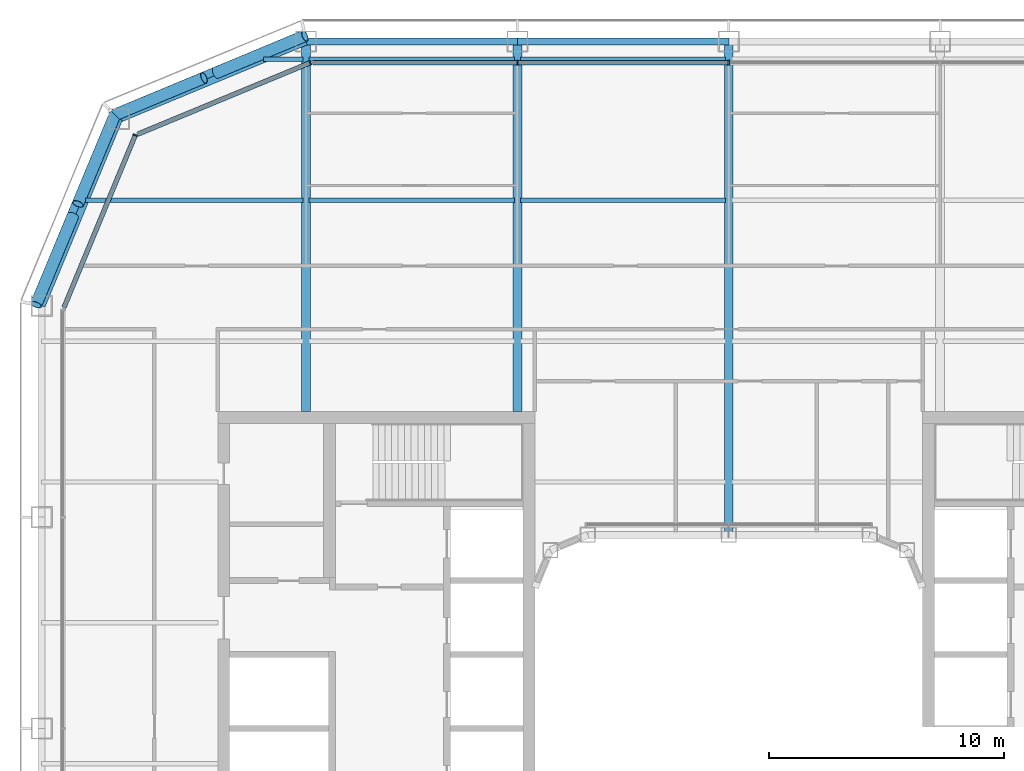
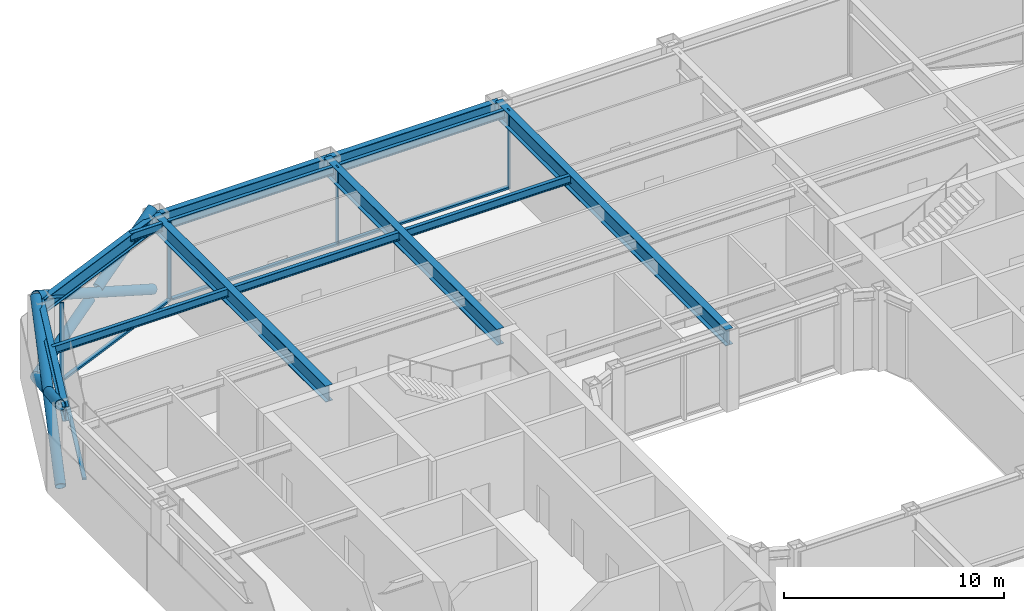
# One storey, part 7 of 23: 14 members, 13 beams, 3 elements without a shape of their own.
"""IFC4 building model written with IfcOpenShell, lengths in metres."""

from ifc_helpers import new_model, si_unit, direction, frame, origin, origin_2d, place, context, subcontext, project, spatial, rectangle, hollow_circle, i_section, extrude, material, layer, layer_set, material_profile, profile_set, type_object, element, aggregate, save


model = new_model("IFC4")

# Units and contexts
model_context = context("Model", 3, precision=1e-05, world=origin(), true_north=direction((0.0, 1.0)))
body_context = subcontext(model_context, "Body", "Model", "MODEL_VIEW")
ifc_project = project(units=[si_unit("LENGTHUNIT", "METRE"), si_unit("AREAUNIT", "SQUARE_METRE"), si_unit("VOLUMEUNIT", "CUBIC_METRE"), si_unit("PLANEANGLEUNIT", "RADIAN"), si_unit("MASSUNIT", "GRAM", prefix="KILO")], contexts=[model_context])

# Site, building, storey
site_placement = place(None, origin())
site = spatial("IfcSite", under=ifc_project, at=site_placement, CompositionType="ELEMENT")
building_placement = place(site_placement, origin())
building = spatial("IfcBuilding", under=site, at=building_placement, Name="Siwar Civic Tower", CompositionType="ELEMENT")
storey_placement = place(building_placement, frame((0.0, 0.0, 145.199951171875)))
storey = spatial("IfcBuildingStorey", under=building, at=storey_placement, Name="L31", CompositionType="ELEMENT", Elevation=145.199951171875)

# Curtain wall, members
ifc_material_1 = material(Name="Aluminium and glass", Category="aluminium")
ifc_layer_1 = layer(ifc_material_1, 0.199951171875)
ifc_layer_set_1 = layer_set([ifc_layer_1], Name="Aluminium and glass")
curtain_wall_type_1 = type_object("IfcCurtainWallType", Name="ENV-CW-B", PredefinedType="NOTDEFINED", material=ifc_layer_set_1)
curtain_wall_1_placement = place(storey_placement, origin())
curtain_wall_1 = element("IfcCurtainWall", 1, at=curtain_wall_1_placement, inside=storey, type_object=curtain_wall_type_1, Name="Curtain wall B N", PredefinedType="NOTDEFINED")
ifc_material_2 = material(Name="Aluminium 6063-T6", Category="aluminium")
ifc_material_profile_1 = material_profile(ifc_material_2, rectangle(XDim=0.199951171875, YDim=0.06494140625, at=origin_2d()), Name="AL 200x65")
ifc_profile_set_1 = profile_set([ifc_material_profile_1], Name="Aluminium 6063-T6")
member_type_1 = type_object("IfcMemberType", Name="ENV-MULLION-B", PredefinedType="MULLION", material=ifc_profile_set_1)
member_1_placement = place(storey_placement, frame((0.0, 28.35009765625, 0.0), z_axis=(0.0, 0.0, 1.0), x_axis=(0.0, -1.0, 0.0)))
member_1 = element("IfcMember", 2, at=member_1_placement, type_object=member_type_1, Name="Mullion B N 3", PredefinedType="MULLION", context=body_context, shape_type="SweptSolid", body=[
    extrude(rectangle(XDim=0.199951171875, YDim=0.06494140625, at=origin_2d()), origin(), (0.0, 0.0, 1.0), 4.35009765625),
])
member_2_placement = place(storey_placement, frame((-9.0, 28.35009765625, 0.0), z_axis=(0.0, 0.0, 1.0), x_axis=(0.0, -1.0, 0.0)))
member_2 = element("IfcMember", 3, at=member_2_placement, type_object=member_type_1, Name="Mullion B N 4", PredefinedType="MULLION", context=body_context, shape_type="SweptSolid", body=[
    extrude(rectangle(XDim=0.199951171875, YDim=0.06494140625, at=origin_2d()), origin(), (0.0, 0.0, 1.0), 4.35009765625),
])

# Curtain wall, member
ifc_material_3 = material(Name="Aluminium clad insulated panel", Category="aluminium")
ifc_layer_2 = layer(ifc_material_3, 0.199951171875)
ifc_layer_set_2 = layer_set([ifc_layer_2], Name="Aluminium clad insulated panel")
curtain_wall_type_2 = type_object("IfcCurtainWallType", Name="ENV-CW-BX", PredefinedType="NOTDEFINED", material=ifc_layer_set_2)
curtain_wall_2_placement = place(storey_placement, origin())
curtain_wall_2 = element("IfcCurtainWall", 4, at=curtain_wall_2_placement, inside=storey, type_object=curtain_wall_type_2, Name="Curtain wall B NW1", PredefinedType="NOTDEFINED")
member_3_placement = place(storey_placement, frame((-17.821044921875, 28.35009765625, 0.0), z_axis=(0.0, 0.0, 1.0), x_axis=(0.382683432365, -0.923879532511, 0.0)))
member_3 = element("IfcMember", 5, at=member_3_placement, type_object=member_type_1, Name="Mullion B NW1 1", PredefinedType="MULLION", context=body_context, shape_type="SweptSolid", body=[
    extrude(rectangle(XDim=0.199951171875, YDim=0.06494140625, at=origin_2d()), origin(), (0.0, 0.0, 1.0), 4.35009765625),
])

curtain_wall_3_placement = place(storey_placement, origin())
curtain_wall_3 = element("IfcCurtainWall", 6, at=curtain_wall_3_placement, inside=storey, type_object=curtain_wall_type_2, Name="Curtain wall B NW2", PredefinedType="NOTDEFINED")
member_4_placement = place(storey_placement, frame((-25.26611328125, 25.26611328125, 0.0), z_axis=(0.0, 0.0, 1.0), x_axis=(0.923879532511, -0.382683432365, 0.0)))
member_4 = element("IfcMember", 7, at=member_4_placement, type_object=member_type_1, Name="Mullion B NW2 1", PredefinedType="MULLION", context=body_context, shape_type="SweptSolid", body=[
    extrude(rectangle(XDim=0.199951171875, YDim=0.06494140625, at=origin_2d()), origin(), (0.0, 0.0, 1.0), 4.35009765625),
])

# Member
ifc_material_4 = material(Name="Aluminium 6063-T6", Category="aluminium")
ifc_material_profile_2 = material_profile(ifc_material_4, rectangle(XDim=0.199951171875, YDim=0.110107421875, at=origin_2d()), Name="AL 200x110")
ifc_profile_set_2 = profile_set([ifc_material_profile_2], Name="Aluminium 6063-T6")
member_type_2 = type_object("IfcMemberType", Name="ENV-TRANSOM-B", PredefinedType="USERDEFINED", material=ifc_profile_set_2)
member_5_placement = place(storey_placement, frame((-0.032470703125, 28.35009765625, 0.054931640625), z_axis=(-1.0, 0.0, 0.0), x_axis=(0.0, -1.0, 0.0)))
member_5 = element("IfcMember", 8, at=member_5_placement, type_object=member_type_2, Name="Transom B N 3", ObjectType="TRANSOM", PredefinedType="USERDEFINED", context=body_context, shape_type="SweptSolid", body=[
    extrude(rectangle(XDim=0.199951171875, YDim=0.110107421875, at=origin_2d()), origin(), (0.0, 0.0, 1.0), 8.93505859375),
])

member_6_placement = place(storey_placement, frame((-9.032470703125, 28.35009765625, 0.054931640625), z_axis=(-1.0, 0.0, 0.0), x_axis=(0.0, -1.0, 0.0)))
member_6 = element("IfcMember", 9, at=member_6_placement, type_object=member_type_2, Name="Transom B N 4", ObjectType="TRANSOM", PredefinedType="USERDEFINED", context=body_context, shape_type="SweptSolid", body=[
    extrude(rectangle(XDim=0.199951171875, YDim=0.110107421875, at=origin_2d()), origin(), (0.0, 0.0, 1.0), 8.6748046875),
])

aggregate(curtain_wall_1, [member_1, member_2, member_5, member_6])

member_7_placement = place(storey_placement, frame((-17.85107421875, 28.337646484375, 0.054931640625), z_axis=(-0.92387279587, -0.382699695651, 0.0), x_axis=(0.382699695651, -0.92387279587, 0.0)))
member_7 = element("IfcMember", 10, at=member_7_placement, type_object=member_type_2, Name="Transom B NW1 1", ObjectType="TRANSOM", PredefinedType="USERDEFINED", context=body_context, shape_type="SweptSolid", body=[
    extrude(rectangle(XDim=0.199951171875, YDim=0.110107421875, at=origin_2d()), origin(), (0.0, 0.0, 1.0), 7.912353515625),
])

aggregate(curtain_wall_2, [member_3, member_7])

member_8_placement = place(storey_placement, frame((-25.278564453125, 25.236083984375, 0.054931640625), z_axis=(-0.382673358825, -0.923883705044, 0.0), x_axis=(0.923883705044, -0.382673358825, 0.0)))
member_8 = element("IfcMember", 11, at=member_8_placement, type_object=member_type_2, Name="Transom B NW2 1", ObjectType="TRANSOM", PredefinedType="USERDEFINED", context=body_context, shape_type="SweptSolid", body=[
    extrude(rectangle(XDim=0.199951171875, YDim=0.110107421875, at=origin_2d()), origin(), (0.0, 0.0, 1.0), 7.912353515625),
])

aggregate(curtain_wall_3, [member_4, member_8])

# Members
ifc_material_5 = material(Name="Steel S355", Category="steel")
ifc_material_profile_3 = material_profile(ifc_material_5, hollow_circle(Radius=0.25390625, WallThickness=0.02490234375, at=origin_2d()), Name="CHS508x25")
ifc_profile_set_3 = profile_set([ifc_material_profile_3], Name="Steel S355")
member_type_3 = type_object("IfcMemberType", Name="STR-BR-CHS508x25", PredefinedType="BRACE", material=ifc_profile_set_3)
member_9_placement = place(storey_placement, frame((-29.4951171875, 18.048828125, 0.0), z_axis=(0.341671493852, 0.821142553604, 0.457149315816), x_axis=(-0.923264922524, 0.384163874976, 0.0)))
element("IfcMember", 12, at=member_9_placement, inside=storey, type_object=member_type_3, Name="L31/brc/BNW1-10-0-1", PredefinedType="BRACE", context=body_context, shape_type="SweptSolid", body=[
    extrude(hollow_circle(Radius=0.25390625, WallThickness=0.02490234375, at=origin_2d()), origin(), (0.0, 0.0, 1.0), 9.843505859375),
])
member_10_placement = place(storey_placement, frame((-26.1318359375, 26.1318359375, 0.0), z_axis=(-0.341662474736, -0.821143275065, 0.457154760636), x_axis=(0.923268638995, -0.384154943021, 0.0)))
element("IfcMember", 13, at=member_10_placement, inside=storey, type_object=member_type_3, Name="L31/brc/BNW1-10-0-2", PredefinedType="BRACE", context=body_context, shape_type="SweptSolid", body=[
    extrude(hollow_circle(Radius=0.25390625, WallThickness=0.02490234375, at=origin_2d()), origin(), (0.0, 0.0, 1.0), 4.61474609375),
])
member_11_placement = place(storey_placement, frame((-27.91845703125, 21.837890625, 2.390625), z_axis=(-0.34168558233, -0.821145902409, 0.457132770413), x_axis=(0.923259859753, -0.384176042158, 0.0)))
element("IfcMember", 14, at=member_11_placement, inside=storey, type_object=member_type_3, Name="L31/brc/BNW1-10-0-3", PredefinedType="BRACE", context=body_context, shape_type="SweptSolid", body=[
    extrude(hollow_circle(Radius=0.25390625, WallThickness=0.02490234375, at=origin_2d()), origin(), (0.0, 0.0, 1.0), 4.6142578125),
])
member_12_placement = place(storey_placement, frame((-18.048828125, 29.4951171875, 0.0), z_axis=(-0.821142553604, -0.341671493852, 0.457149315816), x_axis=(0.384163874976, -0.923264922524, 0.0)))
element("IfcMember", 15, at=member_12_placement, inside=storey, type_object=member_type_3, Name="L31/brc/BNW1-10-0-0", PredefinedType="BRACE", context=body_context, shape_type="SweptSolid", body=[
    extrude(hollow_circle(Radius=0.25390625, WallThickness=0.02490234375, at=origin_2d()), origin(), (0.0, 0.0, 1.0), 9.843505859375),
])
member_13_placement = place(storey_placement, frame((-26.1318359375, 26.1318359375, 0.0), z_axis=(0.821143275065, 0.341662474736, 0.457154760636), x_axis=(-0.384154943021, 0.923268638995, 0.0)))
element("IfcMember", 16, at=member_13_placement, inside=storey, type_object=member_type_3, Name="L31/brc/BNW1-10-0-4", PredefinedType="BRACE", context=body_context, shape_type="SweptSolid", body=[
    extrude(hollow_circle(Radius=0.25390625, WallThickness=0.02490234375, at=origin_2d()), origin(), (0.0, 0.0, 1.0), 4.61474609375),
])
member_14_placement = place(storey_placement, frame((-21.837890625, 27.91845703125, 2.390625), z_axis=(0.821145902409, 0.34168558233, 0.457132770413), x_axis=(-0.384176042158, 0.923259859753, 0.0)))
element("IfcMember", 17, at=member_14_placement, inside=storey, type_object=member_type_3, Name="L31/brc/BNW1-10-0-5", PredefinedType="BRACE", context=body_context, shape_type="SweptSolid", body=[
    extrude(hollow_circle(Radius=0.25390625, WallThickness=0.02490234375, at=origin_2d()), origin(), (0.0, 0.0, 1.0), 4.6142578125),
])

# Beams
ifc_material_6 = material(Name="Steel S355", Category="steel")
ifc_material_profile_4 = material_profile(ifc_material_6, i_section(OverallWidth=0.18994140625, OverallDepth=0.449951171875, WebThickness=0.009521484375, FlangeThickness=0.0146484375, FilletRadius=0.02099609375, at=origin_2d()), Name="IPE450")
ifc_profile_set_4 = profile_set([ifc_material_profile_4], Name="Steel S355")
beam_type_1 = type_object("IfcBeamType", Name="STR-FB-IPE450", PredefinedType="JOIST", material=ifc_profile_set_4)
beam_1_placement = place(storey_placement, frame((-27.385986328125, 22.5, 4.125), z_axis=(1.0, 0.0, 0.0), x_axis=(0.0, 1.0, 0.0)))
element("IfcBeam", 18, at=beam_1_placement, inside=storey, type_object=beam_type_1, Name="L31/bm/F037", PredefinedType="JOIST", context=body_context, shape_type="SweptSolid", body=[
    extrude(i_section(OverallWidth=0.18994140625, OverallDepth=0.449951171875, WebThickness=0.009521484375, FlangeThickness=0.0146484375, FilletRadius=0.02099609375, at=origin_2d()), origin(), (0.0, 0.0, 1.0), 9.256103515625),
])
for number, where, z_axis, x_axis, name in (
    (19, (-17.8701171875, 22.5, 4.125), (1.0, 0.0, 0.0), (0.0, 1.0, 0.0), "L31/bm/F038"),
    (20, (-8.8701171875, 22.5, 4.125), (1.0, 0.0, 0.0), (0.0, 1.0, 0.0), "L31/bm/F039"),
):
    element("IfcBeam", number, at=place(storey_placement, frame(where, z_axis=z_axis, x_axis=x_axis)), inside=storey, type_object=beam_type_1, Name=name, PredefinedType="JOIST", context=body_context, shape_type="SweptSolid", body=[
        extrude(i_section(OverallWidth=0.18994140625, OverallDepth=0.449951171875, WebThickness=0.009521484375, FlangeThickness=0.0146484375, FilletRadius=0.02099609375, at=origin_2d()), origin(), (0.0, 0.0, 1.0), 8.740234375),
    ])
beam_2_placement = place(storey_placement, frame((-19.810546875, 28.5, 4.125), z_axis=(1.0, 0.0, 0.0), x_axis=(0.0, 1.0, 0.0)))
element("IfcBeam", 21, at=beam_2_placement, inside=storey, type_object=beam_type_1, Name="L31/bm/F043", PredefinedType="JOIST", context=body_context, shape_type="SweptSolid", body=[
    extrude(i_section(OverallWidth=0.18994140625, OverallDepth=0.449951171875, WebThickness=0.009521484375, FlangeThickness=0.0146484375, FilletRadius=0.02099609375, at=origin_2d()), origin(), (0.0, 0.0, 1.0), 1.6806640625),
])
for number, where, z_axis, x_axis, name in (
    (22, (-17.8701171875, 28.5, 4.125), (1.0, 0.0, 0.0), (0.0, 1.0, 0.0), "L31/bm/F044"),
    (23, (-8.8701171875, 28.5, 4.125), (1.0, 0.0, 0.0), (0.0, 1.0, 0.0), "L31/bm/F045"),
):
    element("IfcBeam", number, at=place(storey_placement, frame(where, z_axis=z_axis, x_axis=x_axis)), inside=storey, type_object=beam_type_1, Name=name, PredefinedType="JOIST", context=body_context, shape_type="SweptSolid", body=[
        extrude(i_section(OverallWidth=0.18994140625, OverallDepth=0.449951171875, WebThickness=0.009521484375, FlangeThickness=0.0146484375, FilletRadius=0.02099609375, at=origin_2d()), origin(), (0.0, 0.0, 1.0), 8.740234375),
    ])
ifc_material_7 = material(Name="Steel S355", Category="steel")
ifc_material_profile_5 = material_profile(ifc_material_7, i_section(OverallWidth=0.3798828125, OverallDepth=0.89990234375, WebThickness=0.01611328125, FlangeThickness=0.035888671875, at=origin_2d()), Name="PG900x380x16x36")
ifc_profile_set_5 = profile_set([ifc_material_profile_5], Name="Steel S355")
beam_type_2 = type_object("IfcBeamType", Name="STR-PG-PG900x380x16x36", PredefinedType="BEAM", material=ifc_profile_set_5)
for number, where, z_axis, x_axis, name in (
    (24, (-18.0, 13.5, 3.900146484375), (0.0, 1.0, 0.0), (-1.0, 0.0, 0.0), "L31/bm/G02"),
    (25, (-9.0, 13.5, 3.900146484375), (0.0, 1.0, 0.0), (-1.0, 0.0, 0.0), "L31/bm/G04"),
):
    element("IfcBeam", number, at=place(storey_placement, frame(where, z_axis=z_axis, x_axis=x_axis)), inside=storey, type_object=beam_type_2, Name=name, PredefinedType="BEAM", context=body_context, shape_type="SweptSolid", body=[
        extrude(i_section(OverallWidth=0.3798828125, OverallDepth=0.89990234375, WebThickness=0.01611328125, FlangeThickness=0.035888671875, at=origin_2d()), origin(), (0.0, 0.0, 1.0), 15.75),
    ])
beam_3_placement = place(storey_placement, frame((0.0, 8.25, 3.900146484375), z_axis=(0.0, 1.0, 0.0), x_axis=(-1.0, 0.0, 0.0)))
element("IfcBeam", 26, at=beam_3_placement, inside=storey, type_object=beam_type_2, Name="L31/bm/G06", PredefinedType="BEAM", context=body_context, shape_type="SweptSolid", body=[
    extrude(i_section(OverallWidth=0.3798828125, OverallDepth=0.89990234375, WebThickness=0.01611328125, FlangeThickness=0.035888671875, at=origin_2d()), origin(), (0.0, 0.0, 1.0), 21.0),
])
ifc_material_8 = material(Name="Steel S355", Category="steel")
ifc_material_profile_6 = material_profile(ifc_material_8, i_section(OverallWidth=0.300048828125, OverallDepth=0.800048828125, WebThickness=0.017578125, FlangeThickness=0.032958984375, FilletRadius=0.030029296875, at=origin_2d()), Name="HEB800")
ifc_profile_set_6 = profile_set([ifc_material_profile_6], Name="Steel S355")
beam_type_3 = type_object("IfcBeamType", Name="STR-SB-HEB800", PredefinedType="BEAM", material=ifc_profile_set_6)
for number, where, z_axis, x_axis, name in (
    (27, (0.0, 29.25, 3.949951171875), (-1.0, 0.0, 0.0), (0.0, -1.0, 0.0), "L31/bm/SN-2"),
    (28, (-9.0, 29.25, 3.949951171875), (-1.0, 0.0, 0.0), (0.0, -1.0, 0.0), "L31/bm/SN-3"),
):
    element("IfcBeam", number, at=place(storey_placement, frame(where, z_axis=z_axis, x_axis=x_axis)), inside=storey, type_object=beam_type_3, Name=name, PredefinedType="BEAM", context=body_context, shape_type="SweptSolid", body=[
        extrude(i_section(OverallWidth=0.300048828125, OverallDepth=0.800048828125, WebThickness=0.017578125, FlangeThickness=0.032958984375, FilletRadius=0.030029296875, at=origin_2d()), origin(), (0.0, 0.0, 1.0), 9.0),
    ])
for number, where, z_axis, x_axis, name in (
    (29, (-18.0, 29.25, 3.949951171875), (-0.923872720536, -0.382699877515, 0.0), (0.382699877515, -0.923872720536, 0.0), "L31/bm/SNW1-0"),
    (30, (-25.954833984375, 25.954833984375, 3.949951171875), (-0.382699877515, -0.923872720536, 0.0), (0.923872720536, -0.382699877515, 0.0), "L31/bm/SNW2-0"),
):
    element("IfcBeam", number, at=place(storey_placement, frame(where, z_axis=z_axis, x_axis=x_axis)), inside=storey, type_object=beam_type_3, Name=name, PredefinedType="BEAM", context=body_context, shape_type="SweptSolid", body=[
        extrude(i_section(OverallWidth=0.300048828125, OverallDepth=0.800048828125, WebThickness=0.017578125, FlangeThickness=0.032958984375, FilletRadius=0.030029296875, at=origin_2d()), origin(), (0.0, 0.0, 1.0), 8.6103515625),
    ])

save(model, "model.ifc")
